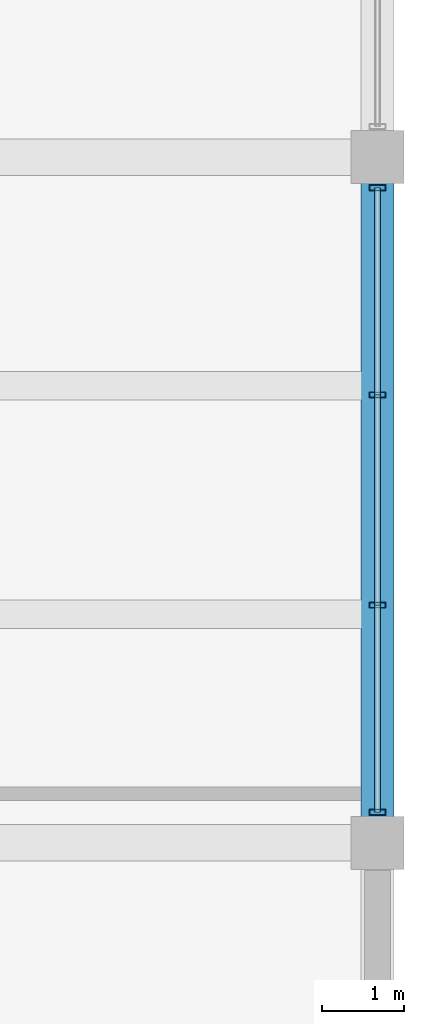
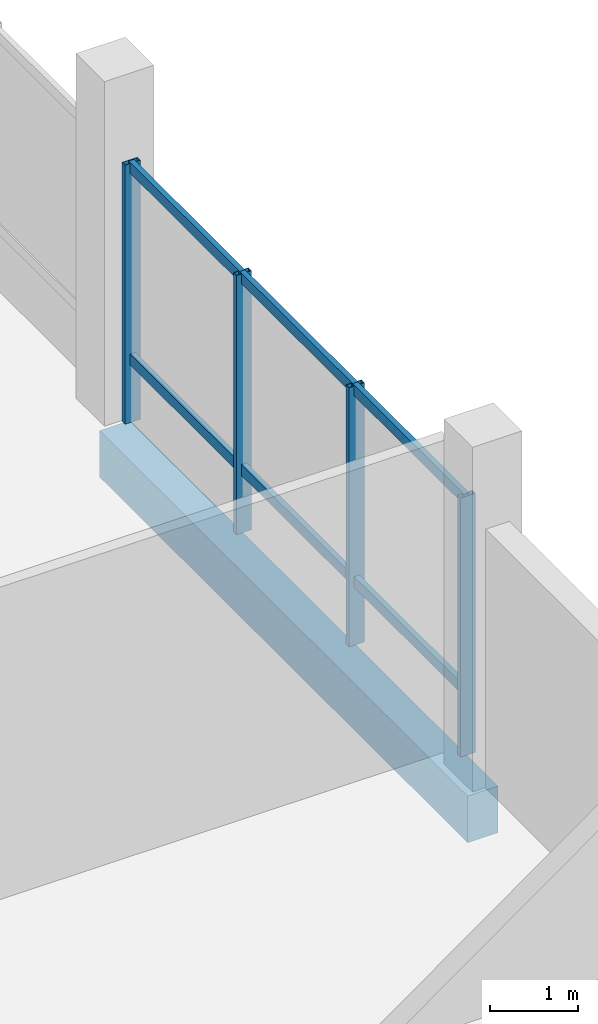
# One storey, part 47 of 71: 10 members, 1 beam, 1 element without a shape of its own.
"""IFC4 building model written with IfcOpenShell, lengths in metres."""

from ifc_helpers import new_model, si_unit, direction, frame, origin, origin_2d, place, context, subcontext, project, spatial, rectangle, hollow_rectangle, extrude, material, layer, layer_set, material_profile, profile_set, type_object, element, aggregate, save


model = new_model("IFC4")

# Units and contexts
model_context = context("Model", 3, precision=1e-05, world=origin(), true_north=direction((0.0, 1.0)))
body_context = subcontext(model_context, "Body", "Model", "MODEL_VIEW")
ifc_project = project(units=[si_unit("LENGTHUNIT", "METRE"), si_unit("AREAUNIT", "SQUARE_METRE"), si_unit("VOLUMEUNIT", "CUBIC_METRE"), si_unit("PLANEANGLEUNIT", "RADIAN"), si_unit("MASSUNIT", "GRAM", prefix="KILO")], contexts=[model_context])

# Site, building, storey
site_placement = place(None, origin())
site = spatial("IfcSite", under=ifc_project, at=site_placement, CompositionType="ELEMENT")
building_placement = place(site_placement, origin())
building = spatial("IfcBuilding", under=site, at=building_placement, Name="Meriwether Solvik Hall", CompositionType="ELEMENT")
storey_placement = place(building_placement, frame((0.0, 0.0, 5.10009765625)))
storey = spatial("IfcBuildingStorey", under=building, at=storey_placement, Name="L01", CompositionType="ELEMENT", Elevation=5.10009765625)

# Beam
ifc_material_1 = material(Name="Concrete C40/50", Category="concrete")
ifc_material_profile_1 = material_profile(ifc_material_1, rectangle(XDim=0.39990234375, YDim=0.64990234375, at=origin_2d()), Name="RCB-400X650")
ifc_profile_set_1 = profile_set([ifc_material_profile_1], Name="Concrete C40/50")
beam_type = type_object("IfcBeamType", Name="BM-RC-400X650", PredefinedType="SPANDREL", material=ifc_profile_set_1)
beam_placement = place(storey_placement, frame((166.800048828125, 92.800048828125, -0.625), z_axis=(0.0, 1.0, 0.0), x_axis=(-1.0, 0.0, 0.0)))
element("IfcBeam", 1, at=beam_placement, inside=storey, type_object=beam_type, Name="Podium Girder 19:K-L (L01)", PredefinedType="SPANDREL", context=body_context, shape_type="SweptSolid", body=[
    extrude(rectangle(XDim=0.39990234375, YDim=0.64990234375, at=origin_2d()), origin(), (0.0, 0.0, 1.0), 8.39990234375),
])

# Curtain wall, members
ifc_material_2 = material(Name="Thermally Broken Anodised Aluminium 6063-T6 and Low-E Glass", Category="aluminium")
ifc_layer = layer(ifc_material_2, 0.179931640625)
ifc_layer_set = layer_set([ifc_layer], Name="Thermally Broken Anodised Aluminium 6063-T6 and Low-E Glass")
curtain_wall_type = type_object("IfcCurtainWallType", Name="CW-SF-POD-B", PredefinedType="USERDEFINED", material=ifc_layer_set)
curtain_wall_placement = place(storey_placement, origin())
curtain_wall = element("IfcCurtainWall", 2, at=curtain_wall_placement, inside=storey, type_object=curtain_wall_type, Name="Curtain Wall wing_Y19_11_59 (L01)", ObjectType="STICK STOREFRONT GLAZING", PredefinedType="USERDEFINED")
ifc_material_3 = material(Name="Anodised Aluminium 6063-T6", Category="aluminium")
ifc_material_profile_2 = material_profile(ifc_material_3, hollow_rectangle(XDim=0.070068359375, YDim=0.199951171875, WallThickness=0.0048828125, at=origin_2d()), Name="CWM-70X200")
ifc_profile_set_2 = profile_set([ifc_material_profile_2], Name="Anodised Aluminium 6063-T6")
member_type_1 = type_object("IfcMemberType", Name="CW-MUL-70X200", PredefinedType="MULLION", material=ifc_profile_set_2)
member_1_placement = place(storey_placement, frame((166.800048828125, 100.824951171875, 0.0), z_axis=(0.0, 0.0, 1.0), x_axis=(0.0, -1.0, 0.0)))
member_1 = element("IfcMember", 3, at=member_1_placement, type_object=member_type_1, Name="Curtain Wall Mullion 1", PredefinedType="MULLION", context=body_context, shape_type="SweptSolid", body=[
    extrude(hollow_rectangle(XDim=0.070068359375, YDim=0.199951171875, WallThickness=0.0048828125, at=origin_2d()), origin(), (0.0, 0.0, 1.0), 3.60986328125),
])
member_2_placement = place(storey_placement, frame((166.800048828125, 98.28759765625, 0.0), z_axis=(0.0, 0.0, 1.0), x_axis=(0.0, -1.0, 0.0)))
member_2 = element("IfcMember", 4, at=member_2_placement, type_object=member_type_1, Name="Curtain Wall Mullion 2", PredefinedType="MULLION", context=body_context, shape_type="SweptSolid", body=[
    extrude(hollow_rectangle(XDim=0.070068359375, YDim=0.199951171875, WallThickness=0.0048828125, at=origin_2d()), origin(), (0.0, 0.0, 1.0), 3.60986328125),
])
member_3_placement = place(storey_placement, frame((166.800048828125, 95.71240234375, 0.0), z_axis=(0.0, 0.0, 1.0), x_axis=(0.0, -1.0, 0.0)))
member_3 = element("IfcMember", 5, at=member_3_placement, type_object=member_type_1, Name="Curtain Wall Mullion 3", PredefinedType="MULLION", context=body_context, shape_type="SweptSolid", body=[
    extrude(hollow_rectangle(XDim=0.070068359375, YDim=0.199951171875, WallThickness=0.0048828125, at=origin_2d()), origin(), (0.0, 0.0, 1.0), 3.60986328125),
])
member_4_placement = place(storey_placement, frame((166.800048828125, 93.175048828125, 0.0), z_axis=(0.0, 0.0, 1.0), x_axis=(0.0, -1.0, 0.0)))
member_4 = element("IfcMember", 6, at=member_4_placement, type_object=member_type_1, Name="Curtain Wall Mullion 4", PredefinedType="MULLION", context=body_context, shape_type="SweptSolid", body=[
    extrude(hollow_rectangle(XDim=0.070068359375, YDim=0.199951171875, WallThickness=0.0048828125, at=origin_2d()), origin(), (0.0, 0.0, 1.0), 3.60986328125),
])
ifc_material_4 = material(Name="Anodised Aluminium 6063-T6", Category="aluminium")
ifc_material_profile_3 = material_profile(ifc_material_4, hollow_rectangle(XDim=0.070068359375, YDim=0.14990234375, WallThickness=0.0048828125, at=origin_2d()), Name="CWT-70X150")
ifc_profile_set_3 = profile_set([ifc_material_profile_3], Name="Anodised Aluminium 6063-T6")
member_type_2 = type_object("IfcMemberType", Name="CW-TRN-70X150", PredefinedType="USERDEFINED", material=ifc_profile_set_3)
member_5_placement = place(storey_placement, frame((166.800048828125, 100.824951171875, 0.8798828125), z_axis=(0.0, -1.0, 0.0), x_axis=(1.0, 0.0, 0.0)))
member_5 = element("IfcMember", 7, at=member_5_placement, type_object=member_type_2, Name="Curtain Wall Transom 1-sill", ObjectType="TRANSOM", PredefinedType="USERDEFINED", context=body_context, shape_type="SweptSolid", body=[
    extrude(hollow_rectangle(XDim=0.070068359375, YDim=0.14990234375, WallThickness=0.0048828125, at=origin_2d()), origin(), (0.0, 0.0, 1.0), 2.537353515625),
])
member_6_placement = place(storey_placement, frame((166.800048828125, 100.824951171875, 3.5498046875), z_axis=(0.0, -1.0, 0.0), x_axis=(1.0, 0.0, 0.0)))
member_6 = element("IfcMember", 8, at=member_6_placement, type_object=member_type_2, Name="Curtain Wall Transom 1-head", ObjectType="TRANSOM", PredefinedType="USERDEFINED", context=body_context, shape_type="SweptSolid", body=[
    extrude(hollow_rectangle(XDim=0.070068359375, YDim=0.14990234375, WallThickness=0.0048828125, at=origin_2d()), origin(), (0.0, 0.0, 1.0), 2.537353515625),
])
member_7_placement = place(storey_placement, frame((166.800048828125, 98.28759765625, 0.8798828125), z_axis=(0.0, -1.0, 0.0), x_axis=(1.0, 0.0, 0.0)))
member_7 = element("IfcMember", 9, at=member_7_placement, type_object=member_type_2, Name="Curtain Wall Transom 2-sill", ObjectType="TRANSOM", PredefinedType="USERDEFINED", context=body_context, shape_type="SweptSolid", body=[
    extrude(hollow_rectangle(XDim=0.070068359375, YDim=0.14990234375, WallThickness=0.0048828125, at=origin_2d()), origin(), (0.0, 0.0, 1.0), 2.5751953125),
])
member_8_placement = place(storey_placement, frame((166.800048828125, 98.28759765625, 3.5498046875), z_axis=(0.0, -1.0, 0.0), x_axis=(1.0, 0.0, 0.0)))
member_8 = element("IfcMember", 10, at=member_8_placement, type_object=member_type_2, Name="Curtain Wall Transom 2-head", ObjectType="TRANSOM", PredefinedType="USERDEFINED", context=body_context, shape_type="SweptSolid", body=[
    extrude(hollow_rectangle(XDim=0.070068359375, YDim=0.14990234375, WallThickness=0.0048828125, at=origin_2d()), origin(), (0.0, 0.0, 1.0), 2.5751953125),
])
member_9_placement = place(storey_placement, frame((166.800048828125, 95.71240234375, 0.8798828125), z_axis=(0.0, -1.0, 0.0), x_axis=(1.0, 0.0, 0.0)))
member_9 = element("IfcMember", 11, at=member_9_placement, type_object=member_type_2, Name="Curtain Wall Transom 3-sill", ObjectType="TRANSOM", PredefinedType="USERDEFINED", context=body_context, shape_type="SweptSolid", body=[
    extrude(hollow_rectangle(XDim=0.070068359375, YDim=0.14990234375, WallThickness=0.0048828125, at=origin_2d()), origin(), (0.0, 0.0, 1.0), 2.537353515625),
])
member_10_placement = place(storey_placement, frame((166.800048828125, 95.71240234375, 3.5498046875), z_axis=(0.0, -1.0, 0.0), x_axis=(1.0, 0.0, 0.0)))
member_10 = element("IfcMember", 12, at=member_10_placement, type_object=member_type_2, Name="Curtain Wall Transom 3-head", ObjectType="TRANSOM", PredefinedType="USERDEFINED", context=body_context, shape_type="SweptSolid", body=[
    extrude(hollow_rectangle(XDim=0.070068359375, YDim=0.14990234375, WallThickness=0.0048828125, at=origin_2d()), origin(), (0.0, 0.0, 1.0), 2.537353515625),
])
aggregate(curtain_wall, [member_1, member_2, member_3, member_4, member_5, member_6, member_7, member_8, member_9, member_10])

save(model, "model.ifc")
